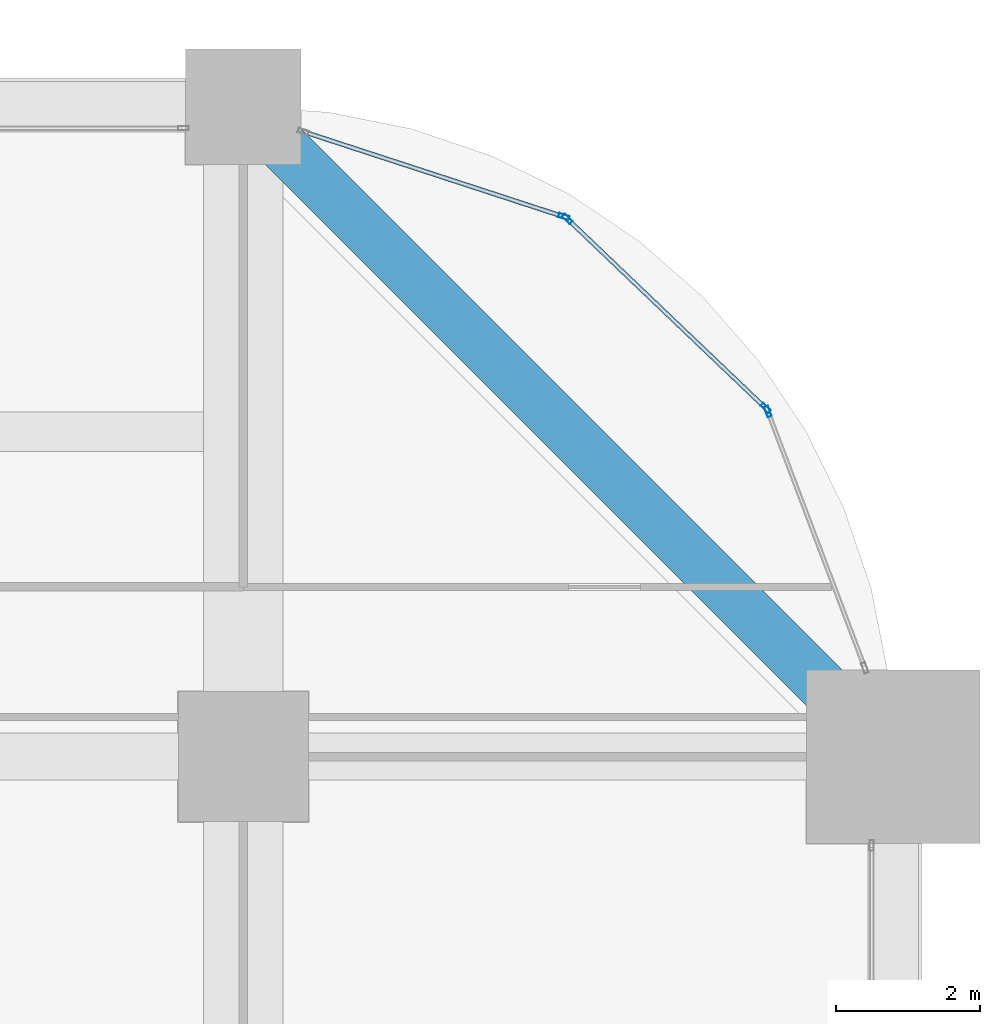
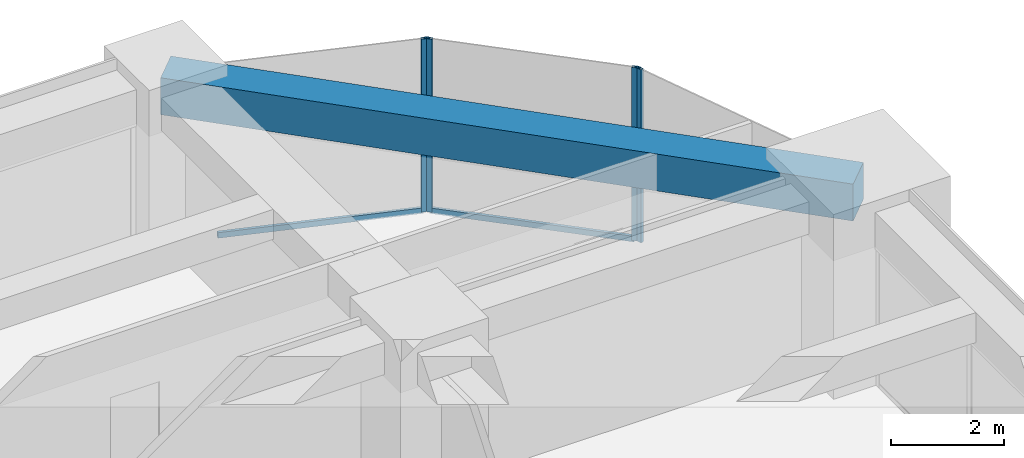
# One storey, part 34 of 41: 6 members, 1 beam, 3 elements without a shape of their own.
"""IFC4 building model written with IfcOpenShell, lengths in metres."""

from ifc_helpers import new_model, si_unit, direction, frame, origin, origin_2d, place, context, subcontext, project, spatial, rectangle, hollow_rectangle, extrude, material, material_profile, profile_set, type_object, element, aggregate, save


model = new_model("IFC4")

# Units and contexts
model_context = context("Model", 3, precision=1e-05, world=origin(), true_north=direction((0.0, 1.0)))
body_context = subcontext(model_context, "Body", "Model", "MODEL_VIEW")
ifc_project = project(units=[si_unit("LENGTHUNIT", "METRE"), si_unit("AREAUNIT", "SQUARE_METRE"), si_unit("VOLUMEUNIT", "CUBIC_METRE"), si_unit("PLANEANGLEUNIT", "RADIAN"), si_unit("MASSUNIT", "GRAM", prefix="KILO")], contexts=[model_context])

# Site, building, storey
site_placement = place(None, origin())
site = spatial("IfcSite", under=ifc_project, at=site_placement, CompositionType="ELEMENT")
building_placement = place(site_placement, origin())
building = spatial("IfcBuilding", under=site, at=building_placement, Name="Zorevar Civic Tower", CompositionType="ELEMENT")
storey_placement = place(building_placement, frame((0.0, 0.0, 137.0)))
storey = spatial("IfcBuildingStorey", under=building, at=storey_placement, Name="L33", CompositionType="ELEMENT", Elevation=137.0)

# Curtain wall, member
ifc_material_1 = material(Name="Dark grey solar-control glass in black aluminium frame", Category="aluminium")
curtain_wall_type = type_object("IfcCurtainWallType", Name="Curtain wall CW3 mid zone", PredefinedType="NOTDEFINED", material=ifc_material_1)
curtain_wall_1_placement = place(storey_placement, origin())
curtain_wall_1 = element("IfcCurtainWall", 1, at=curtain_wall_1_placement, inside=storey, type_object=curtain_wall_type, Name="CW3 L33", PredefinedType="NOTDEFINED")
ifc_material_2 = material(Name="Aluminium, black anodised", Category="aluminium")
ifc_material_profile_1 = material_profile(ifc_material_2, hollow_rectangle(XDim=0.06005859375, YDim=0.14990234375, WallThickness=0.00390625, at=origin_2d()), Name="AL 150x60x4")
ifc_profile_set_1 = profile_set([ifc_material_profile_1], Name="Aluminium, black anodised")
member_type_1 = type_object("IfcMemberType", Name="CW3 mullion AL 150x60x4", PredefinedType="MULLION", material=ifc_profile_set_1)
member_1_placement = place(storey_placement, frame((61.26318359375, 40.777099609375, 0.0), z_axis=(0.0, 0.0, 1.0), x_axis=(-0.935276561184, -0.353917722218, 0.0)))
member_1 = element("IfcMember", 2, at=member_1_placement, type_object=member_type_1, Name="CW3 mullion 2", PredefinedType="MULLION", context=body_context, shape_type="SweptSolid", body=[
    extrude(hollow_rectangle(XDim=0.06005859375, YDim=0.14990234375, WallThickness=0.00390625, at=origin_2d()), origin(), (0.0, 0.0, 1.0), 3.75),
])
aggregate(curtain_wall_1, [member_1])

# Curtain wall, members
curtain_wall_2_placement = place(storey_placement, origin())
curtain_wall_2 = element("IfcCurtainWall", 3, at=curtain_wall_2_placement, inside=storey, type_object=curtain_wall_type, Name="CW3 L33", PredefinedType="NOTDEFINED")
member_2_placement = place(storey_placement, frame((61.23095703125, 40.825927734375, 0.0), z_axis=(0.0, 0.0, 1.0), x_axis=(-0.690545329292, -0.723289117983, 0.0)))
member_2 = element("IfcMember", 4, at=member_2_placement, type_object=member_type_1, Name="CW3 mullion 1", PredefinedType="MULLION", context=body_context, shape_type="SweptSolid", body=[
    extrude(hollow_rectangle(XDim=0.06005859375, YDim=0.14990234375, WallThickness=0.00390625, at=origin_2d()), origin(), (0.0, 0.0, 1.0), 3.75),
])
member_3_placement = place(storey_placement, frame((58.486083984375, 43.4462890625, 0.0), z_axis=(0.0, 0.0, 1.0), x_axis=(-0.690545329292, -0.723289117983, 0.0)))
member_3 = element("IfcMember", 5, at=member_3_placement, type_object=member_type_1, Name="CW3 mullion 2", PredefinedType="MULLION", context=body_context, shape_type="SweptSolid", body=[
    extrude(hollow_rectangle(XDim=0.06005859375, YDim=0.14990234375, WallThickness=0.00390625, at=origin_2d()), origin(), (0.0, 0.0, 1.0), 3.75),
])

# Curtain wall, member
curtain_wall_3_placement = place(storey_placement, origin())
curtain_wall_3 = element("IfcCurtainWall", 6, at=curtain_wall_3_placement, inside=storey, type_object=curtain_wall_type, Name="CW3 L33", PredefinedType="NOTDEFINED")
member_4_placement = place(storey_placement, frame((58.43603515625, 43.476318359375, 0.0), z_axis=(0.0, 0.0, 1.0), x_axis=(-0.310263169163, -0.950650706548, 0.0)))
member_4 = element("IfcMember", 7, at=member_4_placement, type_object=member_type_1, Name="CW3 mullion 1", PredefinedType="MULLION", context=body_context, shape_type="SweptSolid", body=[
    extrude(hollow_rectangle(XDim=0.06005859375, YDim=0.14990234375, WallThickness=0.00390625, at=origin_2d()), origin(), (0.0, 0.0, 1.0), 3.75),
])

# Member
ifc_material_3 = material(Name="Aluminium, black anodised", Category="aluminium")
ifc_material_profile_2 = material_profile(ifc_material_3, hollow_rectangle(XDim=0.06005859375, YDim=0.1201171875, WallThickness=0.0029296875, at=origin_2d()), Name="AL 120x60x3")
ifc_profile_set_2 = profile_set([ifc_material_profile_2], Name="Aluminium, black anodised")
member_type_2 = type_object("IfcMemberType", Name="CW3 transom AL 120x60x3", PredefinedType="USERDEFINED", material=ifc_profile_set_2)
member_5_placement = place(storey_placement, frame((61.209228515625, 40.8466796875, 0.030029296875), z_axis=(-0.723324377588, 0.690508395884, 0.0), x_axis=(-0.690508395884, -0.723324377588, 0.0)))
member_5 = element("IfcMember", 8, at=member_5_placement, type_object=member_type_2, Name="CW3 sill transom", ObjectType="TRANSOM", PredefinedType="USERDEFINED", context=body_context, shape_type="SweptSolid", body=[
    extrude(hollow_rectangle(XDim=0.06005859375, YDim=0.1201171875, WallThickness=0.0029296875, at=origin_2d()), origin(), (0.0, 0.0, 1.0), 3.734619140625),
])

aggregate(curtain_wall_2, [member_2, member_3, member_5])

member_6_placement = place(storey_placement, frame((58.407470703125, 43.485595703125, 0.030029296875), z_axis=(-0.950638909659, 0.310299312669, 0.0), x_axis=(-0.310299312669, -0.950638909659, 0.0)))
member_6 = element("IfcMember", 9, at=member_6_placement, type_object=member_type_2, Name="CW3 sill transom", ObjectType="TRANSOM", PredefinedType="USERDEFINED", context=body_context, shape_type="SweptSolid", body=[
    extrude(hollow_rectangle(XDim=0.06005859375, YDim=0.1201171875, WallThickness=0.0029296875, at=origin_2d()), origin(), (0.0, 0.0, 1.0), 3.73486328125),
])

aggregate(curtain_wall_3, [member_4, member_6])

# Beam
ifc_material_4 = material(Name="Concrete C50/60", Category="concrete")
ifc_material_profile_3 = material_profile(ifc_material_4, rectangle(XDim=0.699951171875, YDim=0.800048828125, at=origin_2d()), Name="RC 700x800")
ifc_profile_set_3 = profile_set([ifc_material_profile_3], Name="Concrete C50/60")
beam_type = type_object("IfcBeamType", Name="Edge beam RC 700x800", PredefinedType="SPANDREL", material=ifc_profile_set_3)
beam_placement = place(storey_placement, frame((63.0, 36.0, 3.35009765625), z_axis=(-0.707106781187, 0.707106781187, 0.0), x_axis=(-0.707106781187, -0.707106781187, 0.0)))
element("IfcBeam", 10, at=beam_placement, inside=storey, type_object=beam_type, Name="Corner edge beam L34", PredefinedType="SPANDREL", context=body_context, shape_type="SweptSolid", body=[
    extrude(rectangle(XDim=0.699951171875, YDim=0.800048828125, at=origin_2d()), origin(), (0.0, 0.0, 1.0), 12.72802734375),
])

save(model, "model.ifc")
